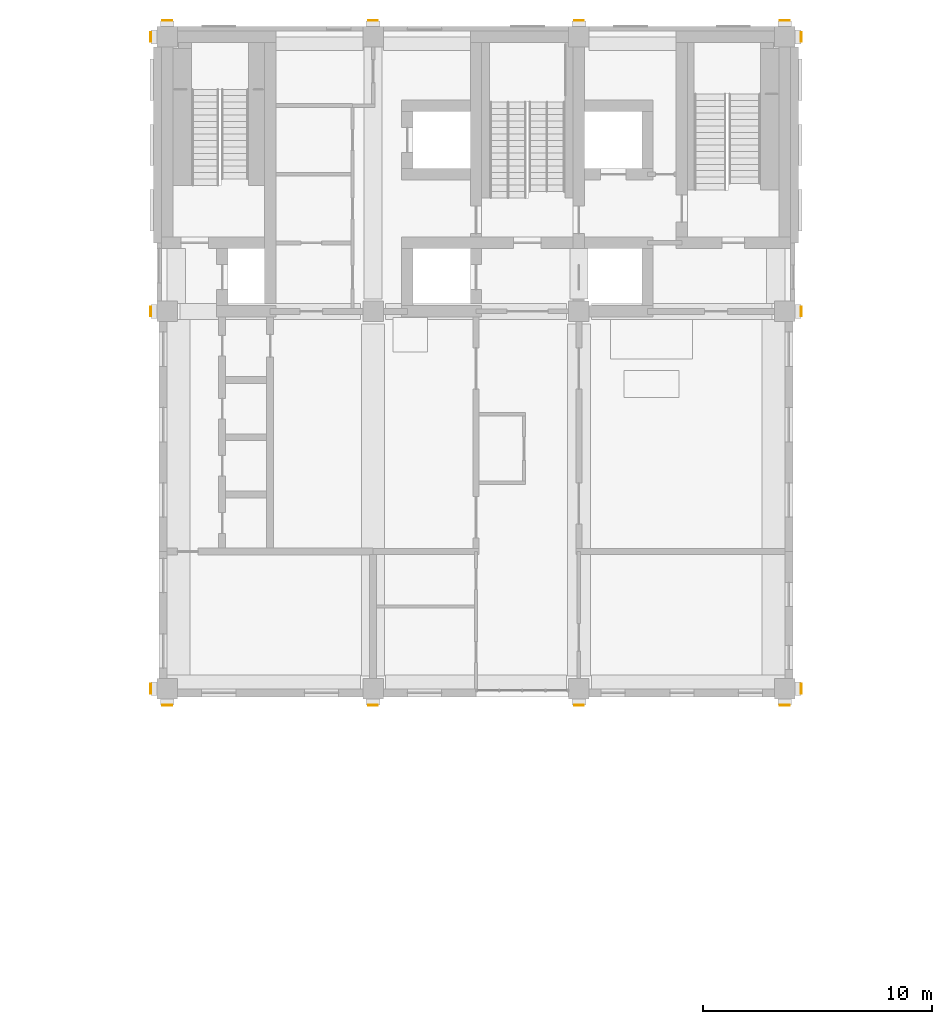
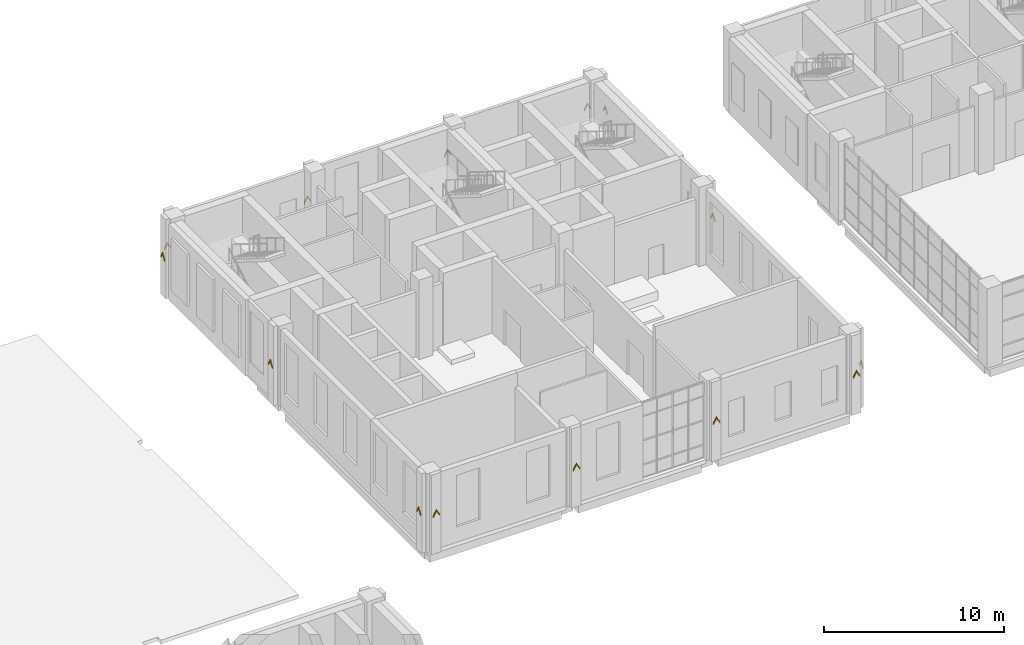
# One storey, part 33 of 33: 14 coverings.
"""IFC4 building model written with IfcOpenShell, lengths in metres."""

from ifc_helpers import new_model, si_unit, direction, frame, origin, place, context, subcontext, project, spatial, polyline, outline, extrude, material, layer, layer_set, type_object, element, save


model = new_model("IFC4")

# Units and contexts
model_context = context("Model", 3, precision=1e-05, world=origin(), true_north=direction((0.0, 1.0)))
body_context = subcontext(model_context, "Body", "Model", "MODEL_VIEW")
ifc_project = project(units=[si_unit("LENGTHUNIT", "METRE"), si_unit("AREAUNIT", "SQUARE_METRE"), si_unit("VOLUMEUNIT", "CUBIC_METRE"), si_unit("PLANEANGLEUNIT", "RADIAN"), si_unit("MASSUNIT", "GRAM", prefix="KILO")], contexts=[model_context])

# Site, building, storey
site_placement = place(None, origin())
site = spatial("IfcSite", under=ifc_project, at=site_placement, CompositionType="ELEMENT")
building_placement = place(site_placement, origin())
building = spatial("IfcBuilding", under=site, at=building_placement, Name="Aurelan Courthouse", CompositionType="ELEMENT")
storey_placement = place(building_placement, frame((0.0, 0.0, 22.800048828125)))
storey = spatial("IfcBuildingStorey", under=building, at=storey_placement, Name="L04", CompositionType="ELEMENT", Elevation=22.800048828125)

# Coverings
ifc_material = material(Name="Bronze sheet cladding")
ifc_layer = layer(ifc_material, 0.0400390625)
ifc_layer_set = layer_set([ifc_layer], Name="Bronze sheet cladding")
covering_type = type_object("IfcCoveringType", Name="Courtroom Block chevron relief 420 x 470", PredefinedType="CLADDING", material=ifc_layer_set)
for number, where, z_axis, x_axis, name in (
    (1, (36.0, 36.800048828125, -22.800048828125), (0.0, -1.0, 0.0), (1.0, 0.0, 0.0), "Chevron relief CH-V2-026"),
    (2, (45.0, 36.800048828125, -22.800048828125), (0.0, -1.0, 0.0), (1.0, 0.0, 0.0), "Chevron relief CH-V2-027"),
    (3, (54.0, 36.800048828125, -22.800048828125), (0.0, -1.0, 0.0), (1.0, 0.0, 0.0), "Chevron relief CH-V2-028"),
    (4, (63.0, 36.800048828125, -22.800048828125), (0.0, -1.0, 0.0), (1.0, 0.0, 0.0), "Chevron relief CH-V2-029"),
    (5, (36.0, 66.699951171875, -22.800048828125), (0.0, 1.0, 0.0), (-1.0, 0.0, 0.0), "Chevron relief CH-V2-030"),
    (6, (45.0, 66.699951171875, -22.800048828125), (0.0, 1.0, 0.0), (-1.0, 0.0, 0.0), "Chevron relief CH-V2-031"),
    (7, (54.0, 66.699951171875, -22.800048828125), (0.0, 1.0, 0.0), (-1.0, 0.0, 0.0), "Chevron relief CH-V2-032"),
    (8, (63.0, 66.699951171875, -22.800048828125), (0.0, 1.0, 0.0), (-1.0, 0.0, 0.0), "Chevron relief CH-V2-033"),
    (9, (63.699951171875, 37.5, -22.800048828125), (1.0, 0.0, 0.0), (0.0, 1.0, 0.0), "Chevron relief CH-V2-034"),
    (10, (63.699951171875, 54.0, -22.800048828125), (1.0, 0.0, 0.0), (0.0, 1.0, 0.0), "Chevron relief CH-V2-035"),
    (11, (63.699951171875, 66.0, -22.800048828125), (1.0, 0.0, 0.0), (0.0, 1.0, 0.0), "Chevron relief CH-V2-036"),
    (12, (35.300048828125, 37.5, -22.800048828125), (-1.0, 0.0, 0.0), (0.0, -1.0, 0.0), "Chevron relief CH-V2-037"),
    (13, (35.300048828125, 54.0, -22.800048828125), (-1.0, 0.0, 0.0), (0.0, -1.0, 0.0), "Chevron relief CH-V2-038"),
    (14, (35.300048828125, 66.0, -22.800048828125), (-1.0, 0.0, 0.0), (0.0, -1.0, 0.0), "Chevron relief CH-V2-039"),
):
    element("IfcCovering", number, at=place(storey_placement, frame(where, z_axis=z_axis, x_axis=x_axis)), inside=storey, type_object=covering_type, Name=name, PredefinedType="CLADDING", context=body_context, shape_type="SweptSolid", body=[
        extrude(outline(polyline([(-0.2099609375, 25.324951171875), (0.0, 25.675048828125), (0.2099609375, 25.324951171875), (0.2099609375, 25.445068359375), (0.0, 25.794921875), (-0.2099609375, 25.445068359375), (-0.2099609375, 25.324951171875)])), origin(), (0.0, 0.0, 1.0), 0.0400390625),
    ])

save(model, "model.ifc")
